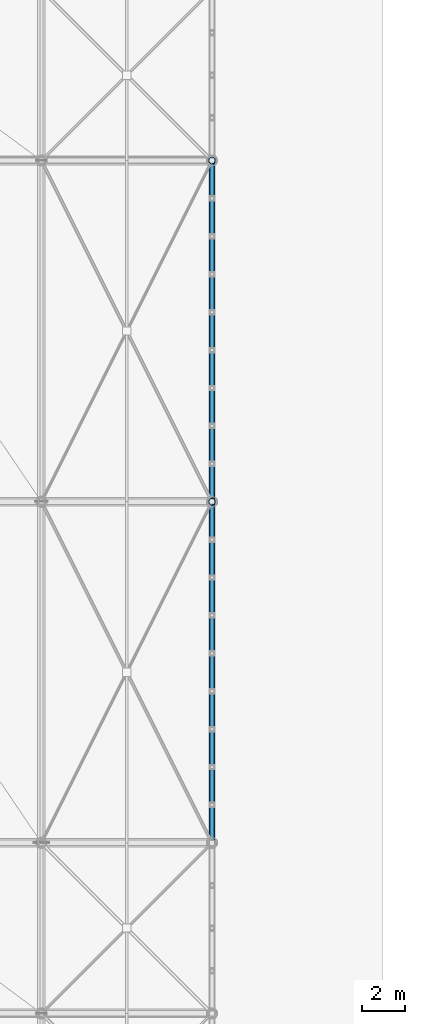
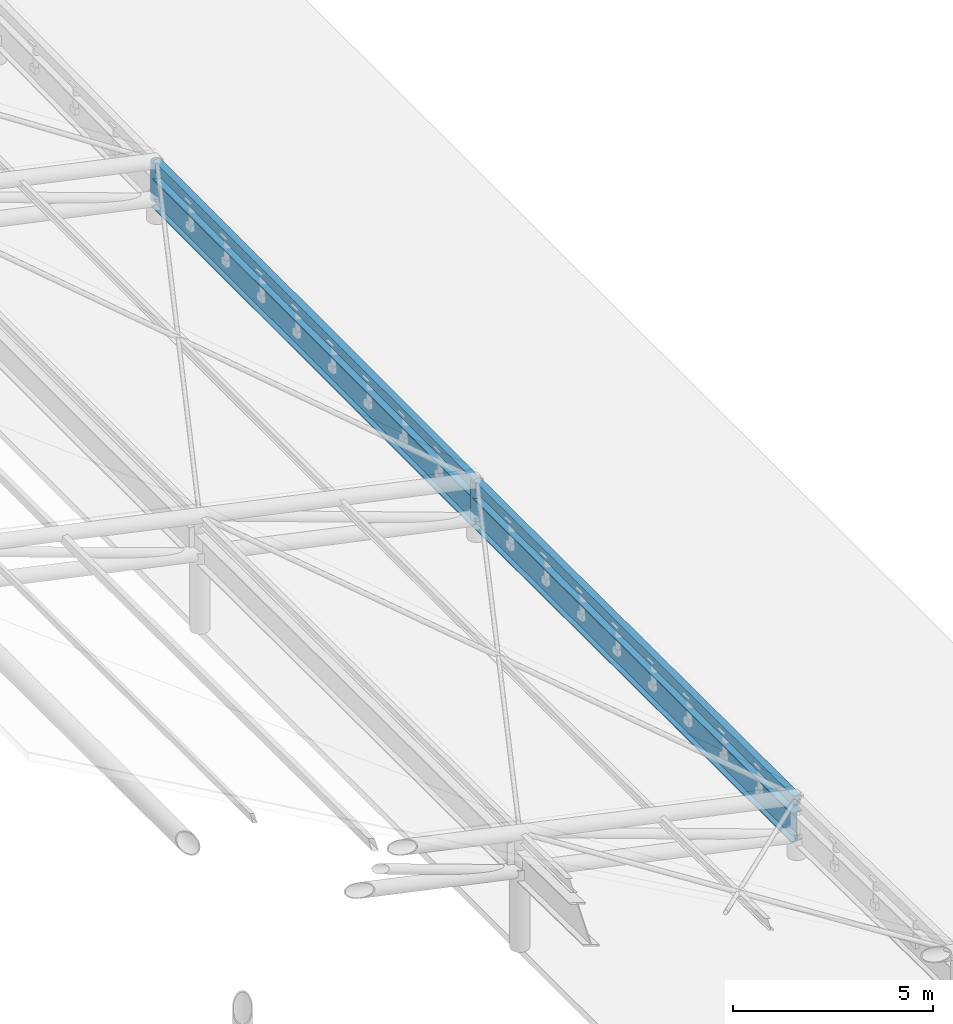
# One storey, part 19 of 41: 4 beams, 2 members.
"""IFC4 building model written with IfcOpenShell, lengths in metres."""

import ifcopenshell
import ifcopenshell.guid

model = None  # the IFC model being written
_history = None  # IfcOwnerHistory: only IFC2X3 demands one
_inside = {}  # id of a spatial element -> (the spatial element, [elements in it])
_under = {}  # id of a project, library or spatial element -> (it, [spatial elements below it])
_declared = {}  # id of a project -> (the project, [libraries it declares])
_typed = {}  # id of a type object -> (the type object, [elements of that type])
_made_of = {}  # id of a material, layer set ... -> (it, [elements and type objects made of it])


def new_model(schema):
    """Start an empty IFC model of exactly this schema.

    Asked for "IFC4X3", IfcOpenShell would pick the latest addendum, in which some entities
    have other attributes; the version numbers below select the first issue.
    IFC2X3 requires an IfcOwnerHistory on every rooted entity: one is made here for all.
    """
    global model, _history
    if schema == "IFC4X3":
        model = ifcopenshell.file(schema_version=(4, 3, 0, 0))
    else:
        model = ifcopenshell.file(schema=schema)
    _inside.clear()
    _under.clear()
    _declared.clear()
    _typed.clear()
    _made_of.clear()
    _history = None
    if model.schema == "IFC2X3":
        org = make("IfcOrganization", Name="unknown")
        user = make(
            "IfcPersonAndOrganization",
            ThePerson=make("IfcPerson", FamilyName="unknown"),
            TheOrganization=org,
        )
        app = make(
            "IfcApplication",
            ApplicationDeveloper=org,
            Version="unknown",
            ApplicationFullName="unknown",
            ApplicationIdentifier="unknown",
        )
        _history = make(
            "IfcOwnerHistory",
            OwningUser=user,
            OwningApplication=app,
            ChangeAction="ADDED",
            CreationDate=0,
        )
    return model


def make(cls, **values):
    """One entity of the class cls with the attributes given. An attribute that is None is left unset."""
    return model.create_entity(
        cls, **{name: value for name, value in values.items() if value is not None}
    )


def rooted(cls, **values):
    """An entity with a GlobalId (a new one), such as an element, a storey or a relation."""
    return make(cls, GlobalId=ifcopenshell.guid.new(), OwnerHistory=_history, **values)


def si_unit(unit_type, name, prefix=None):
    """IfcSIUnit, for example si_unit("LENGTHUNIT", "METRE", prefix="MILLI")."""
    return make("IfcSIUnit", UnitType=unit_type, Prefix=prefix, Name=name)


def assignment(units):
    """IfcUnitAssignment: the units of a project."""
    return None if units is None else make("IfcUnitAssignment", Units=units)


def point(xyz):
    """IfcCartesianPoint."""
    return None if xyz is None else make("IfcCartesianPoint", Coordinates=xyz)


def direction(xyz):
    """IfcDirection."""
    return None if xyz is None else make("IfcDirection", DirectionRatios=xyz)


def frame(location, z_axis=None, x_axis=None):
    """IfcAxis2Placement3D, a coordinate frame: its origin and axes. An axis left out is left unset."""
    return make(
        "IfcAxis2Placement3D",
        Location=point(location),
        Axis=direction(z_axis),
        RefDirection=direction(x_axis),
    )


def frame_2d(location, x_axis=None):
    """IfcAxis2Placement2D, a coordinate frame in the plane: its origin and x axis."""
    return make(
        "IfcAxis2Placement2D", Location=point(location), RefDirection=direction(x_axis)
    )


def origin():
    """The frame at (0, 0, 0) with its axes left unset."""
    return frame((0.0, 0.0, 0.0))


def origin_2d():
    """The frame at (0, 0) in the plane with its x axis left unset."""
    return frame_2d((0.0, 0.0))


def place(relative_to, where):
    """IfcLocalPlacement: puts the frame where relative to a parent placement (None: the world)."""
    return make(
        "IfcLocalPlacement", PlacementRelTo=relative_to, RelativePlacement=where
    )


def context(
    kind, dimensions, precision=None, world=None, true_north=None, identifier=None
):
    """IfcGeometricRepresentationContext, for example the 3D "Model" context."""
    return make(
        "IfcGeometricRepresentationContext",
        ContextIdentifier=identifier,
        ContextType=kind,
        CoordinateSpaceDimension=dimensions,
        Precision=precision,
        WorldCoordinateSystem=world,
        TrueNorth=true_north,
    )


def subcontext(parent, identifier, kind, view, scale=None):
    """IfcGeometricRepresentationSubContext, for example "Body" below "Model"."""
    return make(
        "IfcGeometricRepresentationSubContext",
        ContextIdentifier=identifier,
        ContextType=kind,
        ParentContext=parent,
        TargetScale=scale,
        TargetView=view,
    )


def project(units=None, contexts=None):
    """IfcProject with its units and contexts."""
    return rooted(
        "IfcProject",
        Name="project",
        RepresentationContexts=contexts,
        UnitsInContext=assignment(units),
    )


def spatial(cls, under=None, at=None, **own):
    """A site, building, storey or space (cls), placed at a placement, below another one or the project."""
    s = rooted(cls, ObjectPlacement=at, **own)
    if under is not None:
        _under.setdefault(under.id(), (under, []))[1].append(s)
    return s


def profile(cls, at=None, kind="AREA", **sizes):
    """A parametric profile (cls). Its sizes go by their IFC names, for example OverallWidth=200.0."""
    return make(cls, ProfileType=kind, Position=at, **sizes)


def hollow_rectangle(**sizes):
    """IfcRectangleHollowProfileDef."""
    return profile("IfcRectangleHollowProfileDef", **sizes)


def hollow_circle(**sizes):
    """IfcCircleHollowProfileDef."""
    return profile("IfcCircleHollowProfileDef", **sizes)


def i_section(**sizes):
    """IfcIShapeProfileDef."""
    return profile("IfcIShapeProfileDef", **sizes)


def extrude(swept, where, along, depth):
    """IfcExtrudedAreaSolid: the profile swept, set in the frame where, extruded along a direction by depth."""
    return make(
        "IfcExtrudedAreaSolid",
        SweptArea=swept,
        Position=where,
        ExtrudedDirection=direction(along),
        Depth=depth,
    )


def shape(context_of_items, identifier, shape_type, items):
    """IfcShapeRepresentation: the items that make up one representation, for example the "Body"."""
    return make(
        "IfcShapeRepresentation",
        ContextOfItems=context_of_items,
        RepresentationIdentifier=identifier,
        RepresentationType=shape_type,
        Items=items,
    )


def material(Name=None, Category=None):
    """IfcMaterial."""
    return make("IfcMaterial", Name=Name, Category=Category)


def material_profile(
    of_material, cross_section, Name=None, Category=None, Priority=None
):
    """IfcMaterialProfile: a cross section and its material."""
    return make(
        "IfcMaterialProfile",
        Name=Name,
        Material=of_material,
        Profile=cross_section,
        Priority=Priority,
        Category=Category,
    )


def profile_set(profiles, Name=None, composite=None):
    """IfcMaterialProfileSet."""
    return make(
        "IfcMaterialProfileSet",
        Name=Name,
        MaterialProfiles=profiles,
        CompositeProfile=composite,
    )


def made_of(thing, what):
    """Note that an element or type object is made of a material, layer set ...; save() writes the relation."""
    if what is not None:
        _made_of.setdefault(what.id(), (what, []))[1].append(thing)
    return thing


def type_object(cls, material=None, **own):
    """A type object (cls), such as IfcWallType, which elements share."""
    return made_of(rooted(cls, **own), material)


def element(
    cls,
    number,
    at=None,
    inside=None,
    cuts=None,
    type_object=None,
    material=None,
    context=None,
    identifier="Body",
    shape_type=None,
    held_by="IfcProductDefinitionShape",
    body=None,
    shapes=None,
    **own,
):
    """One element of the class cls, such as IfcWall. Its Tag is "e" and its number.

    at: its placement. inside: the storey or other place that contains it. cuts: it is an
    opening in that element (IfcRelVoidsElement). A single representation is given by context,
    identifier, shape_type and body (its items); several are given by shapes. held_by: the class
    of the entity that holds the representations. save() writes the other relations.
    """
    e = rooted(cls, Tag="e%d" % number, ObjectPlacement=at, **own)
    if body is not None:
        shapes = [shape(context, identifier, shape_type, body)]
    if shapes is not None:
        e.Representation = make(held_by, Representations=shapes)
    if inside is not None:
        _inside.setdefault(inside.id(), (inside, []))[1].append(e)
    if cuts is not None:
        rooted(
            "IfcRelVoidsElement", RelatingBuildingElement=cuts, RelatedOpeningElement=e
        )
    if type_object is not None:
        _typed.setdefault(type_object.id(), (type_object, []))[1].append(e)
    return made_of(e, material)


def aggregate(whole, parts):
    """IfcRelAggregates: a whole, such as a stair, and the parts it consists of."""
    return rooted("IfcRelAggregates", RelatingObject=whole, RelatedObjects=parts)


def save(model, path):
    """Write the relations noted so far, then the file.

    IfcRelAggregates (storeys below a building ...), IfcRelContainedInSpatialStructure (elements
    in a storey), IfcRelDefinesByType, IfcRelAssociatesMaterial and IfcRelDeclares: one each for
    every whole, place, type object, material and project.
    """
    for whole, parts in _under.values():
        aggregate(whole, parts)
    for where, things in _inside.values():
        rooted(
            "IfcRelContainedInSpatialStructure",
            RelatedElements=things,
            RelatingStructure=where,
        )
    for kind, things in _typed.values():
        rooted("IfcRelDefinesByType", RelatedObjects=things, RelatingType=kind)
    for what, things in _made_of.values():
        rooted("IfcRelAssociatesMaterial", RelatedObjects=things, RelatingMaterial=what)
    for by, libraries in _declared.values():
        rooted("IfcRelDeclares", RelatingContext=by, RelatedDefinitions=libraries)
    model.write(path)


model = new_model("IFC4")

# Units and contexts
model_context = context("Model", 3, precision=1e-05, world=origin(), true_north=direction((0.0, 1.0)))
body_context = subcontext(model_context, "Body", "Model", "MODEL_VIEW")
ifc_project = project(units=[si_unit("LENGTHUNIT", "METRE"), si_unit("AREAUNIT", "SQUARE_METRE"), si_unit("VOLUMEUNIT", "CUBIC_METRE"), si_unit("PLANEANGLEUNIT", "RADIAN"), si_unit("MASSUNIT", "GRAM", prefix="KILO")], contexts=[model_context])

# Site, building, storey
site_placement = place(None, origin())
site = spatial("IfcSite", under=ifc_project, at=site_placement, CompositionType="ELEMENT")
building_placement = place(site_placement, origin())
building = spatial("IfcBuilding", under=site, at=building_placement, Name="Haebicheon Civic Stadium", CompositionType="ELEMENT")
storey_placement = place(building_placement, frame((0.0, 0.0, 27.0)))
storey = spatial("IfcBuildingStorey", under=building, at=storey_placement, Name="L07", CompositionType="ELEMENT", Elevation=27.0)

# Beams
ifc_material_1 = material(Name="White painted steel SM490", Category="steel")
ifc_material_profile_1 = material_profile(ifc_material_1, i_section(OverallWidth=0.300048828125, OverallDepth=0.89990234375, WebThickness=0.01611328125, FlangeThickness=0.028076171875, at=origin_2d()), Name="H-900x300x16x28")
ifc_profile_set_1 = profile_set([ifc_material_profile_1], Name="White painted steel SM490")
beam_type_1 = type_object("IfcBeamType", Name="RB-ST-H900B", PredefinedType="USERDEFINED", material=ifc_profile_set_1)
for number, where, z_axis, x_axis, name in (
    (1, (152.0, 72.0, 0.867919921875), (0.0, 0.99999671431, -0.00256346814), (-1.0, 0.0, 0.0), "CAN-EAST polygonal ring beam RB-BCK bay 4"),
    (2, (152.0, 88.0, 0.826904296875), (0.0, 0.99999671431, 0.00256346814), (-1.0, 0.0, 0.0), "CAN-EAST polygonal ring beam RB-BCK bay 5"),
):
    element("IfcBeam", number, at=place(storey_placement, frame(where, z_axis=z_axis, x_axis=x_axis)), inside=storey, type_object=beam_type_1, material=ifc_profile_set_1, Name=name, ObjectType="RING BEAM", PredefinedType="USERDEFINED", context=body_context, shape_type="SweptSolid", body=[
        extrude(i_section(OverallWidth=0.300048828125, OverallDepth=0.89990234375, WebThickness=0.01611328125, FlangeThickness=0.028076171875, at=origin_2d()), origin(), (0.0, 0.0, 1.0), 16.0),
    ])
ifc_material_2 = material(Name="White painted steel SM490", Category="steel")
ifc_material_profile_2 = material_profile(ifc_material_2, hollow_rectangle(XDim=0.199951171875, YDim=0.300048828125, WallThickness=0.011962890625, at=origin_2d()), Name="RHS-300x200x12.0")
ifc_profile_set_2 = profile_set([ifc_material_profile_2], Name="White painted steel SM490")
beam_type_2 = type_object("IfcBeamType", Name="RB-ST-RHS300", PredefinedType="USERDEFINED", material=ifc_profile_set_2)
for number, where, z_axis, x_axis, name in (
    (3, (152.0, 72.0, 1.66796875), (0.0, 0.99999671431, -0.00256346814), (-1.0, 0.0, 0.0), "CAN-EAST polygonal ring beam RB-TOP bay 4"),
    (4, (152.0, 88.0, 1.626953125), (0.0, 0.99999671431, 0.00256346814), (-1.0, 0.0, 0.0), "CAN-EAST polygonal ring beam RB-TOP bay 5"),
):
    element("IfcBeam", number, at=place(storey_placement, frame(where, z_axis=z_axis, x_axis=x_axis)), inside=storey, type_object=beam_type_2, material=ifc_profile_set_2, Name=name, ObjectType="RING BEAM", PredefinedType="USERDEFINED", context=body_context, shape_type="SweptSolid", body=[
        extrude(hollow_rectangle(XDim=0.199951171875, YDim=0.300048828125, WallThickness=0.011962890625, at=origin_2d()), origin(), (0.0, 0.0, 1.0), 16.0),
    ])

# Members
ifc_material_3 = material(Name="White painted steel SM490", Category="steel")
ifc_material_profile_3 = material_profile(ifc_material_3, hollow_circle(Radius=0.1591796875, WallThickness=0.013916015625, at=origin_2d()), Name="CHS-318.5x14.0")
ifc_profile_set_3 = profile_set([ifc_material_profile_3], Name="White painted steel SM490")
member_type = type_object("IfcMemberType", Name="STR-CHS318", PredefinedType="STRUT", material=ifc_profile_set_3)
for number, where, z_axis, x_axis, name in (
    (5, (152.0, 88.0, 0.576904296875), (0.0, 0.0, 1.0), (1.0, 0.0, 0.0), "ST318 web strut CAN-EAST truss 5 VB"),
    (6, (152.0, 104.0, 0.617919921875), (0.0, 0.0, 1.0), (1.0, 0.0, 0.0), "ST318 web strut CAN-EAST truss 6 VB"),
):
    element("IfcMember", number, at=place(storey_placement, frame(where, z_axis=z_axis, x_axis=x_axis)), inside=storey, type_object=member_type, material=ifc_profile_set_3, Name=name, PredefinedType="STRUT", context=body_context, shape_type="SweptSolid", body=[
        extrude(hollow_circle(Radius=0.1591796875, WallThickness=0.013916015625, at=origin_2d()), origin(), (0.0, 0.0, 1.0), 1.150146484375),
    ])

save(model, "model.ifc")
